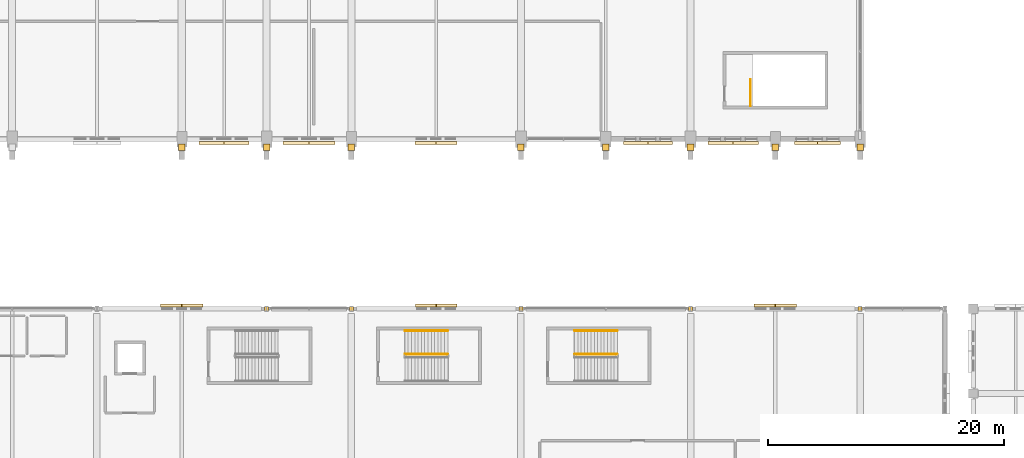
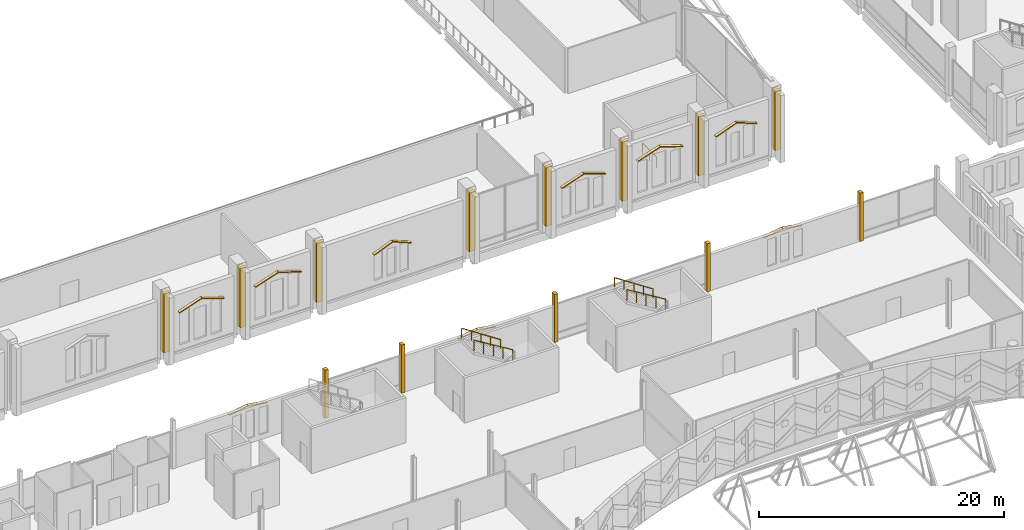
# One storey, part 201 of 220: 31 coverings, 5 railings.
"""IFC4 building model written with IfcOpenShell, lengths in metres."""

from ifc_helpers import new_model, si_unit, direction, frame, origin, origin_2d, place, context, subcontext, project, spatial, polyline, circle, outline, extrude, material, layer, layer_set, type_object, element, save


model = new_model("IFC4")

# Units and contexts
model_context = context("Model", 3, precision=1e-05, world=origin(), true_north=direction((0.0, 1.0)))
body_context = subcontext(model_context, "Body", "Model", "MODEL_VIEW")
ifc_project = project(units=[si_unit("LENGTHUNIT", "METRE"), si_unit("AREAUNIT", "SQUARE_METRE"), si_unit("VOLUMEUNIT", "CUBIC_METRE"), si_unit("PLANEANGLEUNIT", "RADIAN"), si_unit("MASSUNIT", "GRAM", prefix="KILO")], contexts=[model_context])

# Site, building, storey
site_placement = place(None, origin())
site = spatial("IfcSite", under=ifc_project, at=site_placement, CompositionType="ELEMENT")
building_placement = place(site_placement, origin())
building = spatial("IfcBuilding", under=site, at=building_placement, Name="Cendralis Lancet Convention Centre", CompositionType="ELEMENT")
storey_placement = place(building_placement, frame((0.0, 0.0, 5.39990234375)))
storey = spatial("IfcBuildingStorey", under=building, at=storey_placement, Name="L01", CompositionType="ELEMENT", Elevation=5.39990234375)

# Coverings
ifc_material_1 = material(Name="Warm buff sandstone chevron cassette", Category="masonry")
ifc_layer = layer(ifc_material_1, 0.06005859375, Name="Warm buff sandstone chevron cassette")
ifc_layer_set = layer_set([ifc_layer], Name="Warm buff sandstone chevron cassette")
covering_type = type_object("IfcCoveringType", Name="ARC-CV-CLAD1", PredefinedType="CLADDING", material=ifc_layer_set)
covering_1_placement = place(storey_placement, frame((70.507568359375, 49.929931640625, 3.940185546875), z_axis=(0.322921398373, 0.0, 0.946425787092), x_axis=(0.0, 1.0, 0.0)))
element("IfcCovering", 1, at=covering_1_placement, inside=storey, type_object=covering_type, Name="L01 Gothic Pointed Lancet Hood-Mould #0059L", PredefinedType="CLADDING", context=body_context, shape_type="SweptSolid", body=[
    extrude(outline(polyline([(0.0, 0.0), (0.28515625, 0.0), (0.28515625, 2.2295540238375624), (0.0, 2.2295540238375624), (0.0, 0.0)])), origin(), (0.0, 0.0, -1.0), 0.090087890625),
])
covering_2_placement = place(storey_placement, frame((68.37744140625, 49.929931640625, 4.66015625), z_axis=(-0.322954867765, 0.0, 0.946414366642), x_axis=(0.0, 1.0, 0.0)))
element("IfcCovering", 2, at=covering_2_placement, inside=storey, type_object=covering_type, Name="L01 Gothic Pointed Lancet Hood-Mould #0060R", PredefinedType="CLADDING", context=body_context, shape_type="SweptSolid", body=[
    extrude(outline(polyline([(0.0, 0.0), (0.28515625, 0.0), (0.28515625, 2.229322964248411), (0.0, 2.229322964248411), (0.0, 0.0)])), origin(), (0.0, 0.0, -1.0), 0.090087890625),
])
for number, where, z_axis, x_axis, name in (
    (3, (77.8125, 49.929931640625, 4.0), (0.312412718259, 0.0, 0.949946468739), (0.0, 1.0, 0.0), "L01 Gothic Pointed Lancet Hood-Mould #0061L"),
    (4, (75.6025390625, 49.929931640625, 4.72021484375), (-0.312412718259, 0.0, 0.949946468739), (0.0, 1.0, 0.0), "L01 Gothic Pointed Lancet Hood-Mould #0062R"),
):
    element("IfcCovering", number, at=place(storey_placement, frame(where, z_axis=z_axis, x_axis=x_axis)), inside=storey, type_object=covering_type, Name=name, PredefinedType="CLADDING", context=body_context, shape_type="SweptSolid", body=[
        extrude(outline(polyline([(0.0, 0.0), (0.28515625, 0.0), (0.28515625, 2.3053313826793023), (0.0, 2.3053313826793023), (0.0, 0.0)])), origin(), (0.0, 0.0, -1.0), 0.090087890625),
    ])
for number, where, z_axis, x_axis, name in (
    (5, (88.16748046875, 49.929931640625, 3.27001953125), (0.376781406525, 0.0, 0.926302203224), (0.0, 1.0, 0.0), "L01 Gothic Pointed Lancet Hood-Mould #0063L"),
    (6, (86.37744140625, 49.929931640625, 3.989990234375), (-0.376781406525, 0.0, 0.926302203224), (0.0, 1.0, 0.0), "L01 Gothic Pointed Lancet Hood-Mould #0064R"),
):
    element("IfcCovering", number, at=place(storey_placement, frame(where, z_axis=z_axis, x_axis=x_axis)), inside=storey, type_object=covering_type, Name=name, PredefinedType="CLADDING", context=body_context, shape_type="SweptSolid", body=[
        extrude(outline(polyline([(0.0, 0.0), (0.28515625, 0.0), (0.28515625, 1.9108445657260502), (0.0, 1.9108445657260502), (0.0, 0.0)])), origin(), (0.0, 0.0, -1.0), 0.090087890625),
    ])
covering_3_placement = place(storey_placement, frame((106.467529296875, 49.929931640625, 3.72021484375), z_axis=(0.328499022433, 0.0, 0.944504310345), x_axis=(0.0, 1.0, 0.0)))
element("IfcCovering", 7, at=covering_3_placement, inside=storey, type_object=covering_type, Name="L01 Gothic Pointed Lancet Hood-Mould #0065L", PredefinedType="CLADDING", context=body_context, shape_type="SweptSolid", body=[
    extrude(outline(polyline([(0.0, 0.0), (0.28515625, 0.0), (0.28515625, 2.191698160295758), (0.0, 2.191698160295758), (0.0, 0.0)])), origin(), (0.0, 0.0, -1.0), 0.090087890625),
])
covering_4_placement = place(storey_placement, frame((104.37744140625, 49.929931640625, 4.440185546875), z_axis=(-0.328533587728, 0.0, 0.944492287811), x_axis=(0.0, 1.0, 0.0)))
element("IfcCovering", 8, at=covering_4_placement, inside=storey, type_object=covering_type, Name="L01 Gothic Pointed Lancet Hood-Mould #0066R", PredefinedType="CLADDING", context=body_context, shape_type="SweptSolid", body=[
    extrude(outline(polyline([(0.0, 0.0), (0.28515625, 0.0), (0.28515625, 2.1914675698906327), (0.0, 2.1914675698906327), (0.0, 0.0)])), origin(), (0.0, 0.0, -1.0), 0.090087890625),
])
covering_5_placement = place(storey_placement, frame((113.762451171875, 49.929931640625, 3.900146484375), z_axis=(0.318886614673, 0.0, 0.94779287135), x_axis=(0.0, 1.0, 0.0)))
element("IfcCovering", 9, at=covering_5_placement, inside=storey, type_object=covering_type, Name="L01 Gothic Pointed Lancet Hood-Mould #0067L", PredefinedType="CLADDING", context=body_context, shape_type="SweptSolid", body=[
    extrude(outline(polyline([(0.0, 0.0), (0.28515625, 0.0), (0.28515625, 2.257763951185501), (0.0, 2.257763951185501), (0.0, 0.0)])), origin(), (0.0, 0.0, -1.0), 0.090087890625),
])
covering_6_placement = place(storey_placement, frame((111.6025390625, 49.929931640625, 4.6201171875), z_axis=(-0.318853935636, 0.0, 0.947803865644), x_axis=(0.0, 1.0, 0.0)))
element("IfcCovering", 10, at=covering_6_placement, inside=storey, type_object=covering_type, Name="L01 Gothic Pointed Lancet Hood-Mould #0068R", PredefinedType="CLADDING", context=body_context, shape_type="SweptSolid", body=[
    extrude(outline(polyline([(0.0, 0.0), (0.28515625, 0.0), (0.28515625, 2.257995347271629), (0.0, 2.257995347271629), (0.0, 0.0)])), origin(), (0.0, 0.0, -1.0), 0.090087890625),
])
covering_7_placement = place(storey_placement, frame((120.737548828125, 49.929931640625, 3.77001953125), z_axis=(0.347940642978, 0.0, 0.937516564634), x_axis=(0.0, 1.0, 0.0)))
element("IfcCovering", 11, at=covering_7_placement, inside=storey, type_object=covering_type, Name="L01 Gothic Pointed Lancet Hood-Mould #0069L", PredefinedType="CLADDING", context=body_context, shape_type="SweptSolid", body=[
    extrude(outline(polyline([(0.0, 0.0), (0.28515625, 0.0), (0.28515625, 2.0692342721503367), (0.0, 2.0692342721503367), (0.0, 0.0)])), origin(), (0.0, 0.0, -1.0), 0.090087890625),
])
covering_8_placement = place(storey_placement, frame((118.777587890625, 49.929931640625, 4.489990234375), z_axis=(-0.347902159903, 0.0, 0.937530845964), x_axis=(0.0, 1.0, 0.0)))
element("IfcCovering", 12, at=covering_8_placement, inside=storey, type_object=covering_type, Name="L01 Gothic Pointed Lancet Hood-Mould #0070R", PredefinedType="CLADDING", context=body_context, shape_type="SweptSolid", body=[
    extrude(outline(polyline([(0.0, 0.0), (0.28515625, 0.0), (0.28515625, 2.0694631597737976), (0.0, 2.0694631597737976), (0.0, 0.0)])), origin(), (0.0, 0.0, -1.0), 0.090087890625),
])
covering_9_placement = place(storey_placement, frame((0.0, 0.0, 0.800048828125)))
element("IfcCovering", 13, at=covering_9_placement, inside=storey, type_object=covering_type, Name="Gothic Stepped Stone Buttress Shaft #0015", PredefinedType="CLADDING", context=body_context, shape_type="SweptSolid", body=[
    extrude(outline(polyline([(64.52001953125, 49.449951171875), (65.080078125, 49.449951171875), (65.080078125, 49.97998046875), (64.52001953125, 49.97998046875), (64.52001953125, 49.449951171875)])), origin(), (0.0, 0.0, 1.0), 5.900146484375),
])
covering_10_placement = place(storey_placement, frame((0.0, 0.0, 0.800048828125)))
element("IfcCovering", 14, at=covering_10_placement, inside=storey, type_object=covering_type, Name="Gothic Stepped Stone Buttress Shaft #0017", PredefinedType="CLADDING", context=body_context, shape_type="SweptSolid", body=[
    extrude(outline(polyline([(71.719970703125, 49.449951171875), (72.280029296875, 49.449951171875), (72.280029296875, 49.97998046875), (71.719970703125, 49.97998046875), (71.719970703125, 49.449951171875)])), origin(), (0.0, 0.0, 1.0), 5.900146484375),
])
covering_11_placement = place(storey_placement, frame((0.0, 0.0, 0.800048828125)))
element("IfcCovering", 15, at=covering_11_placement, inside=storey, type_object=covering_type, Name="Gothic Stepped Stone Buttress Shaft #0019", PredefinedType="CLADDING", context=body_context, shape_type="SweptSolid", body=[
    extrude(outline(polyline([(78.919921875, 49.449951171875), (79.47998046875, 49.449951171875), (79.47998046875, 49.97998046875), (78.919921875, 49.97998046875), (78.919921875, 49.449951171875)])), origin(), (0.0, 0.0, 1.0), 5.900146484375),
])
covering_12_placement = place(storey_placement, frame((0.0, 0.0, 0.800048828125)))
element("IfcCovering", 16, at=covering_12_placement, inside=storey, type_object=covering_type, Name="Gothic Stepped Stone Buttress Shaft #0021", PredefinedType="CLADDING", context=body_context, shape_type="SweptSolid", body=[
    extrude(outline(polyline([(93.320068359375, 49.449951171875), (93.8798828125, 49.449951171875), (93.8798828125, 49.97998046875), (93.320068359375, 49.97998046875), (93.320068359375, 49.449951171875)])), origin(), (0.0, 0.0, 1.0), 5.900146484375),
])
covering_13_placement = place(storey_placement, frame((0.0, 0.0, 0.800048828125)))
element("IfcCovering", 17, at=covering_13_placement, inside=storey, type_object=covering_type, Name="Gothic Stepped Stone Buttress Shaft #0023", PredefinedType="CLADDING", context=body_context, shape_type="SweptSolid", body=[
    extrude(outline(polyline([(100.52001953125, 49.449951171875), (101.080078125, 49.449951171875), (101.080078125, 49.97998046875), (100.52001953125, 49.97998046875), (100.52001953125, 49.449951171875)])), origin(), (0.0, 0.0, 1.0), 5.900146484375),
])
covering_14_placement = place(storey_placement, frame((0.0, 0.0, 0.800048828125)))
element("IfcCovering", 18, at=covering_14_placement, inside=storey, type_object=covering_type, Name="Gothic Stepped Stone Buttress Shaft #0025", PredefinedType="CLADDING", context=body_context, shape_type="SweptSolid", body=[
    extrude(outline(polyline([(107.719970703125, 49.449951171875), (108.280029296875, 49.449951171875), (108.280029296875, 49.97998046875), (107.719970703125, 49.97998046875), (107.719970703125, 49.449951171875)])), origin(), (0.0, 0.0, 1.0), 5.900146484375),
])
covering_15_placement = place(storey_placement, frame((0.0, 0.0, 0.800048828125)))
element("IfcCovering", 19, at=covering_15_placement, inside=storey, type_object=covering_type, Name="Gothic Stepped Stone Buttress Shaft #0027", PredefinedType="CLADDING", context=body_context, shape_type="SweptSolid", body=[
    extrude(outline(polyline([(114.919921875, 49.449951171875), (115.47998046875, 49.449951171875), (115.47998046875, 49.97998046875), (114.919921875, 49.97998046875), (114.919921875, 49.449951171875)])), origin(), (0.0, 0.0, 1.0), 5.900146484375),
])
covering_16_placement = place(storey_placement, frame((0.0, 0.0, 0.800048828125)))
element("IfcCovering", 20, at=covering_16_placement, inside=storey, type_object=covering_type, Name="Gothic Stepped Stone Buttress Shaft #0029", PredefinedType="CLADDING", context=body_context, shape_type="SweptSolid", body=[
    extrude(outline(polyline([(122.1201171875, 49.449951171875), (122.679931640625, 49.449951171875), (122.679931640625, 49.97998046875), (122.1201171875, 49.97998046875), (122.1201171875, 49.449951171875)])), origin(), (0.0, 0.0, 1.0), 5.900146484375),
])
for number, where, z_axis, x_axis, name in (
    (21, (63.0, 36.419921875, 3.27001953125), (-0.157318064483, 0.0, 0.987547986979), (0.0, -1.0, 0.0), "L01 Gothic Pointed Lancet Hood-Mould #0245L"),
    (22, (64.81005859375, 36.419921875, 3.55517578125), (0.157318064483, 0.0, 0.987547986979), (0.0, -1.0, 0.0), "L01 Gothic Pointed Lancet Hood-Mould #0246R"),
):
    element("IfcCovering", number, at=place(storey_placement, frame(where, z_axis=z_axis, x_axis=x_axis)), inside=storey, type_object=covering_type, Name=name, PredefinedType="CLADDING", context=body_context, shape_type="SweptSolid", body=[
        extrude(outline(polyline([(0.0, 0.0), (0.284912109375, 0.0), (0.284912109375, 1.812609702111831), (0.0, 1.812609702111831), (0.0, 0.0)])), origin(), (0.0, 0.0, -1.0), 0.090087890625),
    ])
for number, where, z_axis, x_axis, name in (
    (23, (84.639892578125, 36.419921875, 3.27001953125), (-0.160825335847, 0.0, 0.986982883007), (0.0, -1.0, 0.0), "L01 Gothic Pointed Lancet Hood-Mould #0247L"),
    (24, (86.409912109375, 36.419921875, 3.55517578125), (0.160825335847, 0.0, 0.986982883007), (0.0, -1.0, 0.0), "L01 Gothic Pointed Lancet Hood-Mould #0248R"),
):
    element("IfcCovering", number, at=place(storey_placement, frame(where, z_axis=z_axis, x_axis=x_axis)), inside=storey, type_object=covering_type, Name=name, PredefinedType="CLADDING", context=body_context, shape_type="SweptSolid", body=[
        extrude(outline(polyline([(0.0, 0.0), (0.284912109375, 0.0), (0.284912109375, 1.7730803949381602), (0.0, 1.7730803949381602), (0.0, 0.0)])), origin(), (0.0, 0.0, -1.0), 0.090087890625),
    ])
for number, where, z_axis, x_axis, name in (
    (25, (113.39990234375, 36.419921875, 3.27001953125), (-0.157318064483, 0.0, 0.987547986979), (0.0, -1.0, 0.0), "L01 Gothic Pointed Lancet Hood-Mould #0249L"),
    (26, (115.2099609375, 36.419921875, 3.55517578125), (0.157318064483, 0.0, 0.987547986979), (0.0, -1.0, 0.0), "L01 Gothic Pointed Lancet Hood-Mould #0250R"),
):
    element("IfcCovering", number, at=place(storey_placement, frame(where, z_axis=z_axis, x_axis=x_axis)), inside=storey, type_object=covering_type, Name=name, PredefinedType="CLADDING", context=body_context, shape_type="SweptSolid", body=[
        extrude(outline(polyline([(0.0, 0.0), (0.284912109375, 0.0), (0.284912109375, 1.812609702111831), (0.0, 1.812609702111831), (0.0, 0.0)])), origin(), (0.0, 0.0, -1.0), 0.090087890625),
    ])
covering_17_placement = place(storey_placement, origin())
element("IfcCovering", 27, at=covering_17_placement, inside=storey, type_object=covering_type, Name="Exterior Column Stone Fire-Casing L01 #009", PredefinedType="CLADDING", context=body_context, shape_type="SweptSolid", body=[
    extrude(outline(polyline([(71.837890625, 35.7880859375), (72.162109375, 35.7880859375), (72.162109375, 36.2119140625), (71.837890625, 36.2119140625), (71.837890625, 35.7880859375)])), origin(), (0.0, 0.0, 1.0), 4.800048828125),
])
covering_18_placement = place(storey_placement, origin())
element("IfcCovering", 28, at=covering_18_placement, inside=storey, type_object=covering_type, Name="Exterior Column Stone Fire-Casing L01 #010", PredefinedType="CLADDING", context=body_context, shape_type="SweptSolid", body=[
    extrude(outline(polyline([(79.0380859375, 35.7880859375), (79.362060546875, 35.7880859375), (79.362060546875, 36.2119140625), (79.0380859375, 36.2119140625), (79.0380859375, 35.7880859375)])), origin(), (0.0, 0.0, 1.0), 4.800048828125),
])
covering_19_placement = place(storey_placement, origin())
element("IfcCovering", 29, at=covering_19_placement, inside=storey, type_object=covering_type, Name="Exterior Column Stone Fire-Casing L01 #011", PredefinedType="CLADDING", context=body_context, shape_type="SweptSolid", body=[
    extrude(outline(polyline([(93.43798828125, 35.7880859375), (93.761962890625, 35.7880859375), (93.761962890625, 36.2119140625), (93.43798828125, 36.2119140625), (93.43798828125, 35.7880859375)])), origin(), (0.0, 0.0, 1.0), 4.800048828125),
])
covering_20_placement = place(storey_placement, origin())
element("IfcCovering", 30, at=covering_20_placement, inside=storey, type_object=covering_type, Name="Exterior Column Stone Fire-Casing L01 #012", PredefinedType="CLADDING", context=body_context, shape_type="SweptSolid", body=[
    extrude(outline(polyline([(107.837890625, 35.7880859375), (108.162109375, 35.7880859375), (108.162109375, 36.2119140625), (107.837890625, 36.2119140625), (107.837890625, 35.7880859375)])), origin(), (0.0, 0.0, 1.0), 4.800048828125),
])
covering_21_placement = place(storey_placement, origin())
element("IfcCovering", 31, at=covering_21_placement, inside=storey, type_object=covering_type, Name="Exterior Column Stone Fire-Casing L01 #013", PredefinedType="CLADDING", context=body_context, shape_type="SweptSolid", body=[
    extrude(outline(polyline([(122.238037109375, 35.7880859375), (122.56201171875, 35.7880859375), (122.56201171875, 36.2119140625), (122.238037109375, 36.2119140625), (122.238037109375, 35.7880859375)])), origin(), (0.0, 0.0, 1.0), 4.800048828125),
])

# Railings
ifc_material_2 = material(Name="Steel S355", Category="steel")
railing_type_1 = type_object("IfcRailingType", Name="ARC-RL-CGD", PredefinedType="GUARDRAIL", material=ifc_material_2)
railing_1_placement = place(storey_placement, frame((113.10009765625, 53.199951171875, 0.0)))
element("IfcRailing", 32, at=railing_1_placement, inside=storey, type_object=railing_type_1, Name="L01 ST-03 top well guard 1", PredefinedType="GUARDRAIL", context=body_context, shape_type="SweptSolid", body=[
    extrude(circle(Radius=0.02392578125, at=origin_2d()), frame((0.0, 0.0, 1.076171875), z_axis=(0.0, 1.0, 0.0), x_axis=(-1.0, 0.0, 0.0)), (0.0, 0.0, 1.0), 2.280029296875),
    extrude(circle(Radius=0.02099609375, at=origin_2d()), origin(), (0.0, 0.0, 1.0), 1.052001953125),
    extrude(circle(Radius=0.02099609375, at=origin_2d()), frame((0.0, 1.14013671875, 0.0)), (0.0, 0.0, 1.0), 1.052001953125),
    extrude(circle(Radius=0.02099609375, at=origin_2d()), frame((0.0, 2.280029296875, 0.0)), (0.0, 0.0, 1.0), 1.052001953125),
])
railing_2_placement = place(storey_placement, frame((101.7900390625, 32.1298828125, 2.571533203125)))
element("IfcRailing", 33, at=railing_2_placement, inside=storey, type_object=railing_type_1, Name="L01 ST-18 stair guard 3", PredefinedType="GUARDRAIL", context=body_context, shape_type="SweptSolid", body=[
    extrude(circle(Radius=0.02392578125, at=origin_2d()), frame((0.0, 0.0, 1.076171875), z_axis=(-0.852865859571, 0.0, 0.52213008492), x_axis=(0.0, -1.0, 0.0)), (0.0, 0.0, 1.0), 4.26806640625),
    extrude(circle(Radius=0.02099609375, at=origin_2d()), origin(), (0.0, 0.0, 1.0), 1.052001953125),
    extrude(circle(Radius=0.02099609375, at=origin_2d()), frame((-0.91015625, 0.0, 0.55712890625)), (0.0, 0.0, 1.0), 1.052001953125),
    extrude(circle(Radius=0.02099609375, at=origin_2d()), frame((-1.820068359375, 0.0, 1.1142578125)), (0.0, 0.0, 1.0), 1.052001953125),
    extrude(circle(Radius=0.02099609375, at=origin_2d()), frame((-2.72998046875, 0.0, 1.67138671875)), (0.0, 0.0, 1.0), 1.052001953125),
    extrude(circle(Radius=0.02099609375, at=origin_2d()), frame((-3.64013671875, 0.0, 2.228515625)), (0.0, 0.0, 1.0), 1.052001953125),
])
railing_3_placement = place(storey_placement, frame((87.389892578125, 32.1298828125, 2.571533203125)))
element("IfcRailing", 34, at=railing_3_placement, inside=storey, type_object=railing_type_1, Name="L01 ST-21 stair guard 3", PredefinedType="GUARDRAIL", context=body_context, shape_type="SweptSolid", body=[
    extrude(circle(Radius=0.02392578125, at=origin_2d()), frame((0.0, 0.0, 1.076171875), z_axis=(-0.852850264322, 0.0, 0.5221555579), x_axis=(0.0, -1.0, 0.0)), (0.0, 0.0, 1.0), 4.267822265625),
    extrude(circle(Radius=0.02099609375, at=origin_2d()), origin(), (0.0, 0.0, 1.0), 1.052001953125),
    extrude(circle(Radius=0.02099609375, at=origin_2d()), frame((-0.909912109375, 0.0, 0.55712890625)), (0.0, 0.0, 1.0), 1.052001953125),
    extrude(circle(Radius=0.02099609375, at=origin_2d()), frame((-1.81982421875, 0.0, 1.1142578125)), (0.0, 0.0, 1.0), 1.052001953125),
    extrude(circle(Radius=0.02099609375, at=origin_2d()), frame((-2.72998046875, 0.0, 1.67138671875)), (0.0, 0.0, 1.0), 1.052001953125),
    extrude(circle(Radius=0.02099609375, at=origin_2d()), frame((-3.639892578125, 0.0, 2.228515625)), (0.0, 0.0, 1.0), 1.052001953125),
])
railing_type_2 = type_object("IfcRailingType", Name="ARC-RL-CHR", PredefinedType="HANDRAIL", material=ifc_material_2)
railing_4_placement = place(storey_placement, frame((101.7900390625, 34.1298828125, 2.571533203125)))
element("IfcRailing", 35, at=railing_4_placement, inside=storey, type_object=railing_type_2, Name="L01 ST-18 stair handrail 2", PredefinedType="HANDRAIL", context=body_context, shape_type="SweptSolid", body=[
    extrude(circle(Radius=0.02392578125, at=origin_2d()), frame((0.0, 0.0, 0.8759765625), z_axis=(-0.83488217925, 0.0, 0.55042869363), x_axis=(0.0, -1.0, 0.0)), (0.0, 0.0, 1.0), 4.360107421875),
    extrude(circle(Radius=0.02099609375, at=origin_2d()), origin(), (0.0, 0.0, 1.0), 0.851806640625),
    extrude(circle(Radius=0.02099609375, at=origin_2d()), frame((-0.91015625, 0.0, 0.60009765625)), (0.0, 0.0, 1.0), 0.851806640625),
    extrude(circle(Radius=0.02099609375, at=origin_2d()), frame((-1.820068359375, 0.0, 1.199951171875)), (0.0, 0.0, 1.0), 0.851806640625),
    extrude(circle(Radius=0.02099609375, at=origin_2d()), frame((-2.72998046875, 0.0, 1.7998046875)), (0.0, 0.0, 1.0), 0.851806640625),
    extrude(circle(Radius=0.02099609375, at=origin_2d()), frame((-3.64013671875, 0.0, 2.39990234375)), (0.0, 0.0, 1.0), 0.851806640625),
])
railing_5_placement = place(storey_placement, frame((87.389892578125, 34.1298828125, 2.571533203125)))
element("IfcRailing", 36, at=railing_5_placement, inside=storey, type_object=railing_type_2, Name="L01 ST-21 stair handrail 2", PredefinedType="HANDRAIL", context=body_context, shape_type="SweptSolid", body=[
    extrude(circle(Radius=0.02392578125, at=origin_2d()), frame((0.0, 0.0, 0.8759765625), z_axis=(-0.834865213223, 0.0, 0.550454426587), x_axis=(0.0, -1.0, 0.0)), (0.0, 0.0, 1.0), 4.35986328125),
    extrude(circle(Radius=0.02099609375, at=origin_2d()), origin(), (0.0, 0.0, 1.0), 0.851806640625),
    extrude(circle(Radius=0.02099609375, at=origin_2d()), frame((-0.909912109375, 0.0, 0.60009765625)), (0.0, 0.0, 1.0), 0.851806640625),
    extrude(circle(Radius=0.02099609375, at=origin_2d()), frame((-1.81982421875, 0.0, 1.199951171875)), (0.0, 0.0, 1.0), 0.851806640625),
    extrude(circle(Radius=0.02099609375, at=origin_2d()), frame((-2.72998046875, 0.0, 1.7998046875)), (0.0, 0.0, 1.0), 0.851806640625),
    extrude(circle(Radius=0.02099609375, at=origin_2d()), frame((-3.639892578125, 0.0, 2.39990234375)), (0.0, 0.0, 1.0), 0.851806640625),
])

save(model, "model.ifc")
